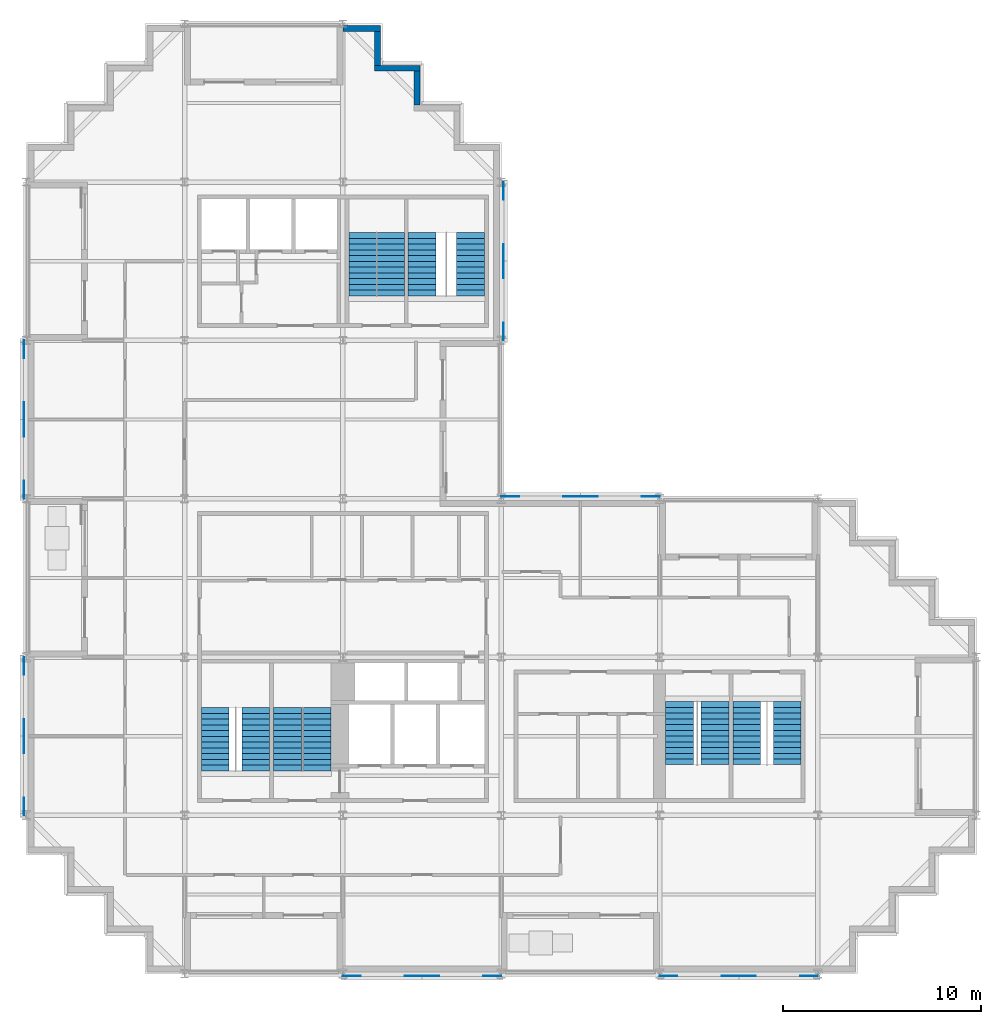
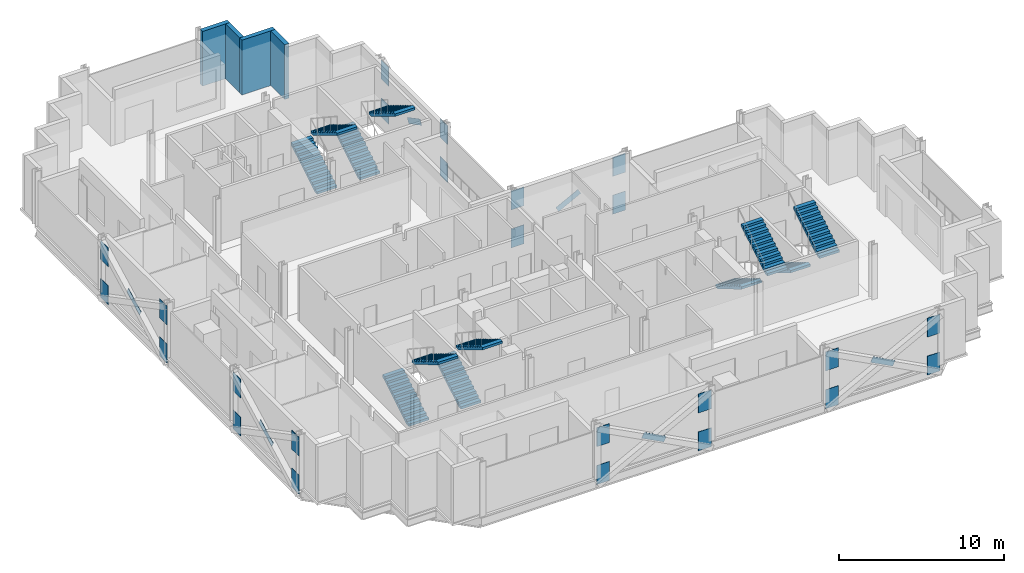
# One storey, part 9 of 12: 30 discrete accessories, 12 stair flights, 4 walls, 6 elements without a shape of their own.
"""IFC4 building model written with IfcOpenShell, lengths in metres."""

from ifc_helpers import new_model, si_unit, direction, frame, frame_2d, origin, origin_2d, place, context, subcontext, project, spatial, polyline, rectangle, outline, extrude, material, layer, layer_set, material_profile, profile_set, type_object, element, aggregate, save


model = new_model("IFC4")

# Units and contexts
model_context = context("Model", 3, precision=1e-05, world=origin(), true_north=direction((0.0, 1.0)))
body_context = subcontext(model_context, "Body", "Model", "MODEL_VIEW")
ifc_project = project(units=[si_unit("LENGTHUNIT", "METRE"), si_unit("AREAUNIT", "SQUARE_METRE"), si_unit("VOLUMEUNIT", "CUBIC_METRE"), si_unit("PLANEANGLEUNIT", "RADIAN"), si_unit("MASSUNIT", "GRAM", prefix="KILO")], contexts=[model_context])

# Site, building, storey
site_placement = place(None, origin())
site = spatial("IfcSite", under=ifc_project, at=site_placement, CompositionType="ELEMENT")
building_placement = place(site_placement, origin())
building = spatial("IfcBuilding", under=site, at=building_placement, Name="Immortelle Media Tower", CompositionType="ELEMENT")
storey_placement = place(building_placement, frame((0.0, 0.0, 136.800048828125)))
storey = spatial("IfcBuildingStorey", under=building, at=storey_placement, Name="L27", CompositionType="ELEMENT", Elevation=136.800048828125)

# Walls
ifc_material_1 = material(Name="Pale aluminium cladding panel", Category="aluminium")
ifc_layer_1 = layer(ifc_material_1, 0.030029296875)
ifc_material_2 = material(Name="Steel ASTM A653 SS Gr 50 stud frame with mineral wool", Category="steel")
ifc_layer_2 = layer(ifc_material_2, 0.257568359375)
ifc_material_3 = material(Name="Moisture-resistant gypsum board", Category="gypsum")
ifc_layer_3 = layer(ifc_material_3, 0.012451171875)
ifc_layer_set = layer_set([ifc_layer_1, ifc_layer_2, ifc_layer_3], Name="Steel ASTM A653 SS Gr 50 stud frame with mineral wool")
wall_type = type_object("IfcWallType", Name="Facade wall 300", PredefinedType="SOLIDWALL", material=ifc_layer_set)
wall_1_placement = place(storey_placement, frame((19.75, 43.89990234375, 0.0), z_axis=(0.0, 0.0, 1.0), x_axis=(0.0, 1.0, 0.0)))
element("IfcWall", 1, at=wall_1_placement, inside=storey, type_object=wall_type, Name="Facade wall L27 E25", PredefinedType="SOLIDWALL", context=body_context, shape_type="SweptSolid", body=[
    extrude(rectangle(XDim=1.7001953125, YDim=0.300048828125, at=frame_2d((0.85009765625, 0.0))), origin(), (0.0, 0.0, 1.0), 4.050048828125),
])
wall_2_placement = place(storey_placement, frame((19.89990234375, 45.75, 0.0), z_axis=(0.0, 0.0, 1.0), x_axis=(-1.0, 0.0, 0.0)))
element("IfcWall", 2, at=wall_2_placement, inside=storey, type_object=wall_type, Name="Facade wall L27 N26", PredefinedType="SOLIDWALL", context=body_context, shape_type="SweptSolid", body=[
    extrude(rectangle(XDim=2.2998046875, YDim=0.300048828125, at=frame_2d((1.14990234375, 0.0))), origin(), (0.0, 0.0, 1.0), 4.050048828125),
])
wall_3_placement = place(storey_placement, frame((17.75, 45.89990234375, 0.0), z_axis=(0.0, 0.0, 1.0), x_axis=(0.0, 1.0, 0.0)))
element("IfcWall", 3, at=wall_3_placement, inside=storey, type_object=wall_type, Name="Facade wall L27 E27", PredefinedType="SOLIDWALL", context=body_context, shape_type="SweptSolid", body=[
    extrude(rectangle(XDim=1.7001953125, YDim=0.300048828125, at=frame_2d((0.85009765625, 0.0))), origin(), (0.0, 0.0, 1.0), 4.050048828125),
])
wall_4_placement = place(storey_placement, frame((17.89990234375, 47.75, 0.0), z_axis=(0.0, 0.0, 1.0), x_axis=(-1.0, 0.0, 0.0)))
element("IfcWall", 4, at=wall_4_placement, inside=storey, type_object=wall_type, Name="Facade wall L27 N28", PredefinedType="SOLIDWALL", context=body_context, shape_type="SweptSolid", body=[
    extrude(rectangle(XDim=1.89990234375, YDim=0.300048828125, at=frame_2d((0.949951171875, 0.0))), origin(), (0.0, 0.0, 1.0), 4.050048828125),
])

# Stair, stair flights
ifc_material_4 = material(Name="Steel ASTM A992 Gr 50", Category="steel")
stair_type = type_object("IfcStairType", Name="Stair with flights", PredefinedType="DOUBLE_RETURN_STAIR", material=ifc_material_4)
stair_1_placement = place(storey_placement, origin())
stair_1 = element("IfcStair", 5, at=stair_1_placement, inside=storey, type_object=stair_type, Name="Exit stair SW1", PredefinedType="DOUBLE_RETURN_STAIR")
stair_flight_type = type_object("IfcStairFlightType", Name="Stair flight 1400", PredefinedType="STRAIGHT", material=ifc_material_4)
stair_flight_1_placement = place(storey_placement, frame((9.550048828125, 10.25, 0.0), z_axis=(0.0, 0.0, 1.0), x_axis=(0.0, 1.0, 0.0)))
stair_flight_1 = element("IfcStairFlight", 6, at=stair_flight_1_placement, type_object=stair_flight_type, Name="ST SW1 flight 1", NumberOfRisers=12, NumberOfTreads=11, PredefinedType="STRAIGHT", RiserHeight=0.175, TreadLength=0.29, context=body_context, shape_type="SweptSolid", body=[
    extrude(outline(polyline([(0.0, 0.0), (0.0, 0.175048828125), (0.2900390625, 0.175048828125), (0.2900390625, 0.35009765625), (0.580078125, 0.35009765625), (0.580078125, 0.52490234375), (0.8701171875, 0.52490234375), (0.8701171875, 0.699951171875), (1.159912109375, 0.699951171875), (1.159912109375, 0.875), (1.449951171875, 0.875), (1.449951171875, 1.050048828125), (1.739990234375, 1.050048828125), (1.739990234375, 1.22509765625), (2.030029296875, 1.22509765625), (2.030029296875, 1.39990234375), (2.320068359375, 1.39990234375), (2.320068359375, 1.574951171875), (2.610107421875, 1.574951171875), (2.610107421875, 1.75), (2.89990234375, 1.75), (2.89990234375, 1.925048828125), (3.18994140625, 1.925048828125), (3.18994140625, 2.10009765625), (3.18994140625, 1.75), (0.2900390625, 0.0), (0.0, 0.0)])), frame((0.0, 0.699951171875, 0.0), z_axis=(0.0, -1.0, 0.0), x_axis=(1.0, 0.0, 0.0)), (0.0, 0.0, 1.0), 1.39990234375),
])
stair_flight_2_placement = place(storey_placement, frame((11.60009765625, 13.43994140625, 2.099853515625), z_axis=(0.0, 0.0, 1.0), x_axis=(0.0, -1.0, 0.0)))
stair_flight_2 = element("IfcStairFlight", 7, at=stair_flight_2_placement, type_object=stair_flight_type, Name="ST SW1 flight 2", NumberOfRisers=12, NumberOfTreads=11, PredefinedType="STRAIGHT", RiserHeight=0.175, TreadLength=0.29, context=body_context, shape_type="SweptSolid", body=[
    extrude(outline(polyline([(0.0, 0.0), (0.0, 0.175048828125), (0.2900390625, 0.175048828125), (0.2900390625, 0.35009765625), (0.580078125, 0.35009765625), (0.580078125, 0.52490234375), (0.8701171875, 0.52490234375), (0.8701171875, 0.699951171875), (1.159912109375, 0.699951171875), (1.159912109375, 0.875), (1.449951171875, 0.875), (1.449951171875, 1.050048828125), (1.739990234375, 1.050048828125), (1.739990234375, 1.22509765625), (2.030029296875, 1.22509765625), (2.030029296875, 1.39990234375), (2.320068359375, 1.39990234375), (2.320068359375, 1.574951171875), (2.610107421875, 1.574951171875), (2.610107421875, 1.75), (2.89990234375, 1.75), (2.89990234375, 1.925048828125), (3.18994140625, 1.925048828125), (3.18994140625, 2.10009765625), (3.18994140625, 1.75), (0.2900390625, 0.0), (0.0, 0.0)])), frame((0.0, 0.699951171875, 0.0), z_axis=(0.0, -1.0, 0.0), x_axis=(1.0, 0.0, 0.0)), (0.0, 0.0, 1.0), 1.39990234375),
])
aggregate(stair_1, [stair_flight_1, stair_flight_2])

stair_2_placement = place(storey_placement, origin())
stair_2 = element("IfcStair", 8, at=stair_2_placement, inside=storey, type_object=stair_type, Name="Exit stair SW2", PredefinedType="DOUBLE_RETURN_STAIR")
stair_flight_3_placement = place(storey_placement, frame((13.199951171875, 10.25, 0.0), z_axis=(0.0, 0.0, 1.0), x_axis=(0.0, 1.0, 0.0)))
stair_flight_3 = element("IfcStairFlight", 9, at=stair_flight_3_placement, type_object=stair_flight_type, Name="ST SW2 flight 1", NumberOfRisers=12, NumberOfTreads=11, PredefinedType="STRAIGHT", RiserHeight=0.175, TreadLength=0.29, context=body_context, shape_type="SweptSolid", body=[
    extrude(outline(polyline([(0.0, 0.0), (0.0, 0.175048828125), (0.2900390625, 0.175048828125), (0.2900390625, 0.35009765625), (0.580078125, 0.35009765625), (0.580078125, 0.52490234375), (0.8701171875, 0.52490234375), (0.8701171875, 0.699951171875), (1.159912109375, 0.699951171875), (1.159912109375, 0.875), (1.449951171875, 0.875), (1.449951171875, 1.050048828125), (1.739990234375, 1.050048828125), (1.739990234375, 1.22509765625), (2.030029296875, 1.22509765625), (2.030029296875, 1.39990234375), (2.320068359375, 1.39990234375), (2.320068359375, 1.574951171875), (2.610107421875, 1.574951171875), (2.610107421875, 1.75), (2.89990234375, 1.75), (2.89990234375, 1.925048828125), (3.18994140625, 1.925048828125), (3.18994140625, 2.10009765625), (3.18994140625, 1.75), (0.2900390625, 0.0), (0.0, 0.0)])), frame((0.0, 0.699951171875, 0.0), z_axis=(0.0, -1.0, 0.0), x_axis=(1.0, 0.0, 0.0)), (0.0, 0.0, 1.0), 1.39990234375),
])
stair_flight_4_placement = place(storey_placement, frame((14.699951171875, 13.43994140625, 2.099853515625), z_axis=(0.0, 0.0, 1.0), x_axis=(0.0, -1.0, 0.0)))
stair_flight_4 = element("IfcStairFlight", 10, at=stair_flight_4_placement, type_object=stair_flight_type, Name="ST SW2 flight 2", NumberOfRisers=12, NumberOfTreads=11, PredefinedType="STRAIGHT", RiserHeight=0.175, TreadLength=0.29, context=body_context, shape_type="SweptSolid", body=[
    extrude(outline(polyline([(0.0, 0.0), (0.0, 0.175048828125), (0.2900390625, 0.175048828125), (0.2900390625, 0.35009765625), (0.580078125, 0.35009765625), (0.580078125, 0.52490234375), (0.8701171875, 0.52490234375), (0.8701171875, 0.699951171875), (1.159912109375, 0.699951171875), (1.159912109375, 0.875), (1.449951171875, 0.875), (1.449951171875, 1.050048828125), (1.739990234375, 1.050048828125), (1.739990234375, 1.22509765625), (2.030029296875, 1.22509765625), (2.030029296875, 1.39990234375), (2.320068359375, 1.39990234375), (2.320068359375, 1.574951171875), (2.610107421875, 1.574951171875), (2.610107421875, 1.75), (2.89990234375, 1.75), (2.89990234375, 1.925048828125), (3.18994140625, 1.925048828125), (3.18994140625, 2.10009765625), (3.18994140625, 1.75), (0.2900390625, 0.0), (0.0, 0.0)])), frame((0.0, 0.699951171875, 0.0), z_axis=(0.0, -1.0, 0.0), x_axis=(1.0, 0.0, 0.0)), (0.0, 0.0, 1.0), 1.39990234375),
])
aggregate(stair_2, [stair_flight_3, stair_flight_4])

stair_3_placement = place(storey_placement, origin())
stair_3 = element("IfcStair", 11, at=stair_3_placement, inside=storey, type_object=stair_type, Name="Exit stair SE1", PredefinedType="DOUBLE_RETURN_STAIR")
stair_flight_5_placement = place(storey_placement, frame((33.0, 13.75, 0.0), z_axis=(0.0, 0.0, 1.0), x_axis=(0.0, -1.0, 0.0)))
stair_flight_5 = element("IfcStairFlight", 12, at=stair_flight_5_placement, type_object=stair_flight_type, Name="ST SE1 flight 1", NumberOfRisers=12, NumberOfTreads=11, PredefinedType="STRAIGHT", RiserHeight=0.175, TreadLength=0.29, context=body_context, shape_type="SweptSolid", body=[
    extrude(outline(polyline([(0.0, 0.0), (0.0, 0.175048828125), (0.2900390625, 0.175048828125), (0.2900390625, 0.35009765625), (0.580078125, 0.35009765625), (0.580078125, 0.52490234375), (0.8701171875, 0.52490234375), (0.8701171875, 0.699951171875), (1.159912109375, 0.699951171875), (1.159912109375, 0.875), (1.449951171875, 0.875), (1.449951171875, 1.050048828125), (1.739990234375, 1.050048828125), (1.739990234375, 1.22509765625), (2.030029296875, 1.22509765625), (2.030029296875, 1.39990234375), (2.320068359375, 1.39990234375), (2.320068359375, 1.574951171875), (2.610107421875, 1.574951171875), (2.610107421875, 1.75), (2.89990234375, 1.75), (2.89990234375, 1.925048828125), (3.18994140625, 1.925048828125), (3.18994140625, 2.10009765625), (3.18994140625, 1.75), (0.2900390625, 0.0), (0.0, 0.0)])), frame((0.0, 0.699951171875, 0.0), z_axis=(0.0, -1.0, 0.0), x_axis=(1.0, 0.0, 0.0)), (0.0, 0.0, 1.0), 1.39990234375),
])
stair_flight_6_placement = place(storey_placement, frame((34.800048828125, 10.56005859375, 2.099853515625), z_axis=(0.0, 0.0, 1.0), x_axis=(0.0, 1.0, 0.0)))
stair_flight_6 = element("IfcStairFlight", 13, at=stair_flight_6_placement, type_object=stair_flight_type, Name="ST SE1 flight 2", NumberOfRisers=12, NumberOfTreads=11, PredefinedType="STRAIGHT", RiserHeight=0.175, TreadLength=0.29, context=body_context, shape_type="SweptSolid", body=[
    extrude(outline(polyline([(0.0, 0.0), (0.0, 0.175048828125), (0.2900390625, 0.175048828125), (0.2900390625, 0.35009765625), (0.580078125, 0.35009765625), (0.580078125, 0.52490234375), (0.8701171875, 0.52490234375), (0.8701171875, 0.699951171875), (1.159912109375, 0.699951171875), (1.159912109375, 0.875), (1.449951171875, 0.875), (1.449951171875, 1.050048828125), (1.739990234375, 1.050048828125), (1.739990234375, 1.22509765625), (2.030029296875, 1.22509765625), (2.030029296875, 1.39990234375), (2.320068359375, 1.39990234375), (2.320068359375, 1.574951171875), (2.610107421875, 1.574951171875), (2.610107421875, 1.75), (2.89990234375, 1.75), (2.89990234375, 1.925048828125), (3.18994140625, 1.925048828125), (3.18994140625, 2.10009765625), (3.18994140625, 1.75), (0.2900390625, 0.0), (0.0, 0.0)])), frame((0.0, 0.699951171875, 0.0), z_axis=(0.0, -1.0, 0.0), x_axis=(1.0, 0.0, 0.0)), (0.0, 0.0, 1.0), 1.39990234375),
])
aggregate(stair_3, [stair_flight_5, stair_flight_6])

stair_4_placement = place(storey_placement, origin())
stair_4 = element("IfcStair", 14, at=stair_4_placement, inside=storey, type_object=stair_type, Name="Exit stair SE2", PredefinedType="DOUBLE_RETURN_STAIR")
stair_flight_7_placement = place(storey_placement, frame((36.39990234375, 13.75, 0.0), z_axis=(0.0, 0.0, 1.0), x_axis=(0.0, -1.0, 0.0)))
stair_flight_7 = element("IfcStairFlight", 15, at=stair_flight_7_placement, type_object=stair_flight_type, Name="ST SE2 flight 1", NumberOfRisers=12, NumberOfTreads=11, PredefinedType="STRAIGHT", RiserHeight=0.175, TreadLength=0.29, context=body_context, shape_type="SweptSolid", body=[
    extrude(outline(polyline([(0.0, 0.0), (0.0, 0.175048828125), (0.2900390625, 0.175048828125), (0.2900390625, 0.35009765625), (0.580078125, 0.35009765625), (0.580078125, 0.52490234375), (0.8701171875, 0.52490234375), (0.8701171875, 0.699951171875), (1.159912109375, 0.699951171875), (1.159912109375, 0.875), (1.449951171875, 0.875), (1.449951171875, 1.050048828125), (1.739990234375, 1.050048828125), (1.739990234375, 1.22509765625), (2.030029296875, 1.22509765625), (2.030029296875, 1.39990234375), (2.320068359375, 1.39990234375), (2.320068359375, 1.574951171875), (2.610107421875, 1.574951171875), (2.610107421875, 1.75), (2.89990234375, 1.75), (2.89990234375, 1.925048828125), (3.18994140625, 1.925048828125), (3.18994140625, 2.10009765625), (3.18994140625, 1.75), (0.2900390625, 0.0), (0.0, 0.0)])), frame((0.0, 0.699951171875, 0.0), z_axis=(0.0, -1.0, 0.0), x_axis=(1.0, 0.0, 0.0)), (0.0, 0.0, 1.0), 1.39990234375),
])
stair_flight_8_placement = place(storey_placement, frame((38.449951171875, 10.56005859375, 2.099853515625), z_axis=(0.0, 0.0, 1.0), x_axis=(0.0, 1.0, 0.0)))
stair_flight_8 = element("IfcStairFlight", 16, at=stair_flight_8_placement, type_object=stair_flight_type, Name="ST SE2 flight 2", NumberOfRisers=12, NumberOfTreads=11, PredefinedType="STRAIGHT", RiserHeight=0.175, TreadLength=0.29, context=body_context, shape_type="SweptSolid", body=[
    extrude(outline(polyline([(0.0, 0.0), (0.0, 0.175048828125), (0.2900390625, 0.175048828125), (0.2900390625, 0.35009765625), (0.580078125, 0.35009765625), (0.580078125, 0.52490234375), (0.8701171875, 0.52490234375), (0.8701171875, 0.699951171875), (1.159912109375, 0.699951171875), (1.159912109375, 0.875), (1.449951171875, 0.875), (1.449951171875, 1.050048828125), (1.739990234375, 1.050048828125), (1.739990234375, 1.22509765625), (2.030029296875, 1.22509765625), (2.030029296875, 1.39990234375), (2.320068359375, 1.39990234375), (2.320068359375, 1.574951171875), (2.610107421875, 1.574951171875), (2.610107421875, 1.75), (2.89990234375, 1.75), (2.89990234375, 1.925048828125), (3.18994140625, 1.925048828125), (3.18994140625, 2.10009765625), (3.18994140625, 1.75), (0.2900390625, 0.0), (0.0, 0.0)])), frame((0.0, 0.699951171875, 0.0), z_axis=(0.0, -1.0, 0.0), x_axis=(1.0, 0.0, 0.0)), (0.0, 0.0, 1.0), 1.39990234375),
])
aggregate(stair_4, [stair_flight_7, stair_flight_8])

stair_5_placement = place(storey_placement, origin())
stair_5 = element("IfcStair", 17, at=stair_5_placement, inside=storey, type_object=stair_type, Name="Exit stair NW1", PredefinedType="DOUBLE_RETURN_STAIR")
stair_flight_9_placement = place(storey_placement, frame((17.0, 34.25, 0.0), z_axis=(0.0, 0.0, 1.0), x_axis=(0.0, 1.0, 0.0)))
stair_flight_9 = element("IfcStairFlight", 18, at=stair_flight_9_placement, type_object=stair_flight_type, Name="ST NW1 flight 1", NumberOfRisers=12, NumberOfTreads=11, PredefinedType="STRAIGHT", RiserHeight=0.175, TreadLength=0.29, context=body_context, shape_type="SweptSolid", body=[
    extrude(outline(polyline([(0.0, 0.0), (0.0, 0.175048828125), (0.2900390625, 0.175048828125), (0.2900390625, 0.35009765625), (0.580078125, 0.35009765625), (0.580078125, 0.52490234375), (0.8701171875, 0.52490234375), (0.8701171875, 0.699951171875), (1.159912109375, 0.699951171875), (1.159912109375, 0.875), (1.449951171875, 0.875), (1.449951171875, 1.050048828125), (1.739990234375, 1.050048828125), (1.739990234375, 1.22509765625), (2.030029296875, 1.22509765625), (2.030029296875, 1.39990234375), (2.320068359375, 1.39990234375), (2.320068359375, 1.574951171875), (2.610107421875, 1.574951171875), (2.610107421875, 1.75), (2.89990234375, 1.75), (2.89990234375, 1.925048828125), (3.18994140625, 1.925048828125), (3.18994140625, 2.10009765625), (3.18994140625, 1.75), (0.2900390625, 0.0), (0.0, 0.0)])), frame((0.0, 0.699951171875, 0.0), z_axis=(0.0, -1.0, 0.0), x_axis=(1.0, 0.0, 0.0)), (0.0, 0.0, 1.0), 1.39990234375),
])
stair_flight_10_placement = place(storey_placement, frame((18.39990234375, 37.43994140625, 2.099853515625), z_axis=(0.0, 0.0, 1.0), x_axis=(0.0, -1.0, 0.0)))
stair_flight_10 = element("IfcStairFlight", 19, at=stair_flight_10_placement, type_object=stair_flight_type, Name="ST NW1 flight 2", NumberOfRisers=12, NumberOfTreads=11, PredefinedType="STRAIGHT", RiserHeight=0.175, TreadLength=0.29, context=body_context, shape_type="SweptSolid", body=[
    extrude(outline(polyline([(0.0, 0.0), (0.0, 0.175048828125), (0.2900390625, 0.175048828125), (0.2900390625, 0.35009765625), (0.580078125, 0.35009765625), (0.580078125, 0.52490234375), (0.8701171875, 0.52490234375), (0.8701171875, 0.699951171875), (1.159912109375, 0.699951171875), (1.159912109375, 0.875), (1.449951171875, 0.875), (1.449951171875, 1.050048828125), (1.739990234375, 1.050048828125), (1.739990234375, 1.22509765625), (2.030029296875, 1.22509765625), (2.030029296875, 1.39990234375), (2.320068359375, 1.39990234375), (2.320068359375, 1.574951171875), (2.610107421875, 1.574951171875), (2.610107421875, 1.75), (2.89990234375, 1.75), (2.89990234375, 1.925048828125), (3.18994140625, 1.925048828125), (3.18994140625, 2.10009765625), (3.18994140625, 1.75), (0.2900390625, 0.0), (0.0, 0.0)])), frame((0.0, 0.699951171875, 0.0), z_axis=(0.0, -1.0, 0.0), x_axis=(1.0, 0.0, 0.0)), (0.0, 0.0, 1.0), 1.39990234375),
])
aggregate(stair_5, [stair_flight_9, stair_flight_10])

stair_6_placement = place(storey_placement, origin())
stair_6 = element("IfcStair", 20, at=stair_6_placement, inside=storey, type_object=stair_type, Name="Exit stair NW2", PredefinedType="DOUBLE_RETURN_STAIR")
stair_flight_11_placement = place(storey_placement, frame((20.0, 34.25, 0.0), z_axis=(0.0, 0.0, 1.0), x_axis=(0.0, 1.0, 0.0)))
stair_flight_11 = element("IfcStairFlight", 21, at=stair_flight_11_placement, type_object=stair_flight_type, Name="ST NW2 flight 1", NumberOfRisers=12, NumberOfTreads=11, PredefinedType="STRAIGHT", RiserHeight=0.175, TreadLength=0.29, context=body_context, shape_type="SweptSolid", body=[
    extrude(outline(polyline([(0.0, 0.0), (0.0, 0.175048828125), (0.2900390625, 0.175048828125), (0.2900390625, 0.35009765625), (0.580078125, 0.35009765625), (0.580078125, 0.52490234375), (0.8701171875, 0.52490234375), (0.8701171875, 0.699951171875), (1.159912109375, 0.699951171875), (1.159912109375, 0.875), (1.449951171875, 0.875), (1.449951171875, 1.050048828125), (1.739990234375, 1.050048828125), (1.739990234375, 1.22509765625), (2.030029296875, 1.22509765625), (2.030029296875, 1.39990234375), (2.320068359375, 1.39990234375), (2.320068359375, 1.574951171875), (2.610107421875, 1.574951171875), (2.610107421875, 1.75), (2.89990234375, 1.75), (2.89990234375, 1.925048828125), (3.18994140625, 1.925048828125), (3.18994140625, 2.10009765625), (3.18994140625, 1.75), (0.2900390625, 0.0), (0.0, 0.0)])), frame((0.0, 0.699951171875, 0.0), z_axis=(0.0, -1.0, 0.0), x_axis=(1.0, 0.0, 0.0)), (0.0, 0.0, 1.0), 1.39990234375),
])
stair_flight_12_placement = place(storey_placement, frame((22.449951171875, 37.43994140625, 2.099853515625), z_axis=(0.0, 0.0, 1.0), x_axis=(0.0, -1.0, 0.0)))
stair_flight_12 = element("IfcStairFlight", 22, at=stair_flight_12_placement, type_object=stair_flight_type, Name="ST NW2 flight 2", NumberOfRisers=12, NumberOfTreads=11, PredefinedType="STRAIGHT", RiserHeight=0.175, TreadLength=0.29, context=body_context, shape_type="SweptSolid", body=[
    extrude(outline(polyline([(0.0, 0.0), (0.0, 0.175048828125), (0.2900390625, 0.175048828125), (0.2900390625, 0.35009765625), (0.580078125, 0.35009765625), (0.580078125, 0.52490234375), (0.8701171875, 0.52490234375), (0.8701171875, 0.699951171875), (1.159912109375, 0.699951171875), (1.159912109375, 0.875), (1.449951171875, 0.875), (1.449951171875, 1.050048828125), (1.739990234375, 1.050048828125), (1.739990234375, 1.22509765625), (2.030029296875, 1.22509765625), (2.030029296875, 1.39990234375), (2.320068359375, 1.39990234375), (2.320068359375, 1.574951171875), (2.610107421875, 1.574951171875), (2.610107421875, 1.75), (2.89990234375, 1.75), (2.89990234375, 1.925048828125), (3.18994140625, 1.925048828125), (3.18994140625, 2.10009765625), (3.18994140625, 1.75), (0.2900390625, 0.0), (0.0, 0.0)])), frame((0.0, 0.699951171875, 0.0), z_axis=(0.0, -1.0, 0.0), x_axis=(1.0, 0.0, 0.0)), (0.0, 0.0, 1.0), 1.39990234375),
])
aggregate(stair_6, [stair_flight_11, stair_flight_12])

# Discrete accessories
ifc_material_5 = material(Name="Steel ASTM A572 Gr 50", Category="steel")
ifc_material_profile_1 = material_profile(ifc_material_5, rectangle(XDim=0.02392578125, YDim=0.406005859375, at=origin_2d()), Name="PL 24 x 406")
ifc_profile_set_1 = profile_set([ifc_material_profile_1], Name="Steel ASTM A572 Gr 50")
discrete_accessory_type_1 = type_object("IfcDiscreteAccessoryType", Name="Crossing plate XP-BR4 1750 x 406 x 24", PredefinedType="USERDEFINED", material=ifc_profile_set_1)
for number, where, z_axis, x_axis, name in (
    (23, (28.774658203125, 24.113037109375, 2.01025390625), (-0.885377804934, 0.0, -0.464872178701), (0.0, -1.0, 0.0), "Crossing plate XP-BR4 of Brace D/4-5 A and Brace D/4-5 B"),
    (24, (24.113037109375, 35.225341796875, 2.01025390625), (0.0, 0.885377804934, -0.464872178701), (-1.0, 0.0, 0.0), "Crossing plate XP-BR4 of Brace 4/E-F A and Brace 4/E-F B"),
    (25, (-0.113037109375, 28.774658203125, 2.01025390625), (0.0, -0.885377804934, -0.464872178701), (1.0, 0.0, 0.0), "Crossing plate XP-BR4 of Brace 1/D-E A and Brace 1/D-E B"),
    (26, (-0.113037109375, 12.774658203125, 2.01025390625), (0.0, -0.885377804934, -0.464872178701), (1.0, 0.0, 0.0), "Crossing plate XP-BR4 of Brace 1/B-C A and Brace 1/B-C B"),
    (27, (19.225341796875, -0.113037109375, 2.01025390625), (0.885377804934, 0.0, -0.464872178701), (0.0, 1.0, 0.0), "Crossing plate XP-BR4 of Brace A/3-4 A and Brace A/3-4 B"),
    (28, (35.225341796875, -0.113037109375, 2.01025390625), (0.885377804934, 0.0, -0.464872178701), (0.0, 1.0, 0.0), "Crossing plate XP-BR4 of Brace A/5-6 A and Brace A/5-6 B"),
):
    element("IfcDiscreteAccessory", number, at=place(storey_placement, frame(where, z_axis=z_axis, x_axis=x_axis)), inside=storey, type_object=discrete_accessory_type_1, Name=name, ObjectType="CROSSING PLATE", PredefinedType="USERDEFINED", context=body_context, shape_type="SweptSolid", body=[
        extrude(rectangle(XDim=0.02392578125, YDim=0.406005859375, at=origin_2d()), origin(), (0.0, 0.0, 1.0), 1.75),
    ])
ifc_material_profile_2 = material_profile(ifc_material_5, rectangle(XDim=0.031982421875, YDim=1.39990234375, at=origin_2d()), Name="PL 32 x 1400")
ifc_profile_set_2 = profile_set([ifc_material_profile_2], Name="Steel ASTM A572 Gr 50")
discrete_accessory_type_2 = type_object("IfcDiscreteAccessoryType", Name="Gusset plate GP1 900 x 1400 x 32", PredefinedType="USERDEFINED", material=ifc_profile_set_2)
for number, where, z_axis, x_axis, name in (
    (29, (16.0, -0.113037109375, 0.203369140625), (1.0, 0.0, 0.0), (0.0, 1.0, 0.0), "Gusset plate GP1, lower end of Brace A/3-4 A"),
    (30, (24.0, -0.113037109375, 3.00341796875), (-1.0, 0.0, 0.0), (0.0, -1.0, 0.0), "Gusset plate GP1, upper end of Brace A/3-4 A"),
    (31, (24.0, -0.113037109375, 0.203369140625), (-1.0, 0.0, 0.0), (0.0, -1.0, 0.0), "Gusset plate GP1, lower end of Brace A/3-4 B"),
    (32, (16.0, -0.113037109375, 3.00341796875), (1.0, 0.0, 0.0), (0.0, 1.0, 0.0), "Gusset plate GP1, upper end of Brace A/3-4 B"),
    (33, (32.0, -0.113037109375, 0.203369140625), (1.0, 0.0, 0.0), (0.0, 1.0, 0.0), "Gusset plate GP1, lower end of Brace A/5-6 A"),
    (34, (40.0, -0.113037109375, 3.00341796875), (-1.0, 0.0, 0.0), (0.0, -1.0, 0.0), "Gusset plate GP1, upper end of Brace A/5-6 A"),
    (35, (40.0, -0.113037109375, 0.203369140625), (-1.0, 0.0, 0.0), (0.0, -1.0, 0.0), "Gusset plate GP1, lower end of Brace A/5-6 B"),
    (36, (32.0, -0.113037109375, 3.00341796875), (1.0, 0.0, 0.0), (0.0, 1.0, 0.0), "Gusset plate GP1, upper end of Brace A/5-6 B"),
    (37, (32.0, 24.113037109375, 0.203369140625), (-1.0, 0.0, 0.0), (0.0, -1.0, 0.0), "Gusset plate GP1, lower end of Brace D/4-5 A"),
    (38, (24.0, 24.113037109375, 3.00341796875), (1.0, 0.0, 0.0), (0.0, 1.0, 0.0), "Gusset plate GP1, upper end of Brace D/4-5 A"),
    (39, (24.0, 24.113037109375, 0.203369140625), (1.0, 0.0, 0.0), (0.0, 1.0, 0.0), "Gusset plate GP1, lower end of Brace D/4-5 B"),
    (40, (32.0, 24.113037109375, 3.00341796875), (-1.0, 0.0, 0.0), (0.0, -1.0, 0.0), "Gusset plate GP1, upper end of Brace D/4-5 B"),
    (41, (24.113037109375, 32.0, 0.203369140625), (0.0, 1.0, 0.0), (-1.0, 0.0, 0.0), "Gusset plate GP1, lower end of Brace 4/E-F A"),
    (42, (24.113037109375, 40.0, 3.00341796875), (0.0, -1.0, 0.0), (1.0, 0.0, 0.0), "Gusset plate GP1, upper end of Brace 4/E-F A"),
    (43, (24.113037109375, 40.0, 0.203369140625), (0.0, -1.0, 0.0), (1.0, 0.0, 0.0), "Gusset plate GP1, lower end of Brace 4/E-F B"),
    (44, (24.113037109375, 32.0, 3.00341796875), (0.0, 1.0, 0.0), (-1.0, 0.0, 0.0), "Gusset plate GP1, upper end of Brace 4/E-F B"),
    (45, (-0.113037109375, 32.0, 0.203369140625), (0.0, -1.0, 0.0), (1.0, 0.0, 0.0), "Gusset plate GP1, lower end of Brace 1/D-E A"),
    (46, (-0.113037109375, 24.0, 3.00341796875), (0.0, 1.0, 0.0), (-1.0, 0.0, 0.0), "Gusset plate GP1, upper end of Brace 1/D-E A"),
    (47, (-0.113037109375, 24.0, 0.203369140625), (0.0, 1.0, 0.0), (-1.0, 0.0, 0.0), "Gusset plate GP1, lower end of Brace 1/D-E B"),
    (48, (-0.113037109375, 32.0, 3.00341796875), (0.0, -1.0, 0.0), (1.0, 0.0, 0.0), "Gusset plate GP1, upper end of Brace 1/D-E B"),
    (49, (-0.113037109375, 16.0, 0.203369140625), (0.0, -1.0, 0.0), (1.0, 0.0, 0.0), "Gusset plate GP1, lower end of Brace 1/B-C A"),
    (50, (-0.113037109375, 8.0, 3.00341796875), (0.0, 1.0, 0.0), (-1.0, 0.0, 0.0), "Gusset plate GP1, upper end of Brace 1/B-C A"),
    (51, (-0.113037109375, 8.0, 0.203369140625), (0.0, 1.0, 0.0), (-1.0, 0.0, 0.0), "Gusset plate GP1, lower end of Brace 1/B-C B"),
    (52, (-0.113037109375, 16.0, 3.00341796875), (0.0, -1.0, 0.0), (1.0, 0.0, 0.0), "Gusset plate GP1, upper end of Brace 1/B-C B"),
):
    element("IfcDiscreteAccessory", number, at=place(storey_placement, frame(where, z_axis=z_axis, x_axis=x_axis)), inside=storey, type_object=discrete_accessory_type_2, Name=name, ObjectType="GUSSET PLATE", PredefinedType="USERDEFINED", context=body_context, shape_type="SweptSolid", body=[
        extrude(rectangle(XDim=0.031982421875, YDim=1.39990234375, at=origin_2d()), origin(), (0.0, 0.0, 1.0), 0.89990234375),
    ])

save(model, "model.ifc")
